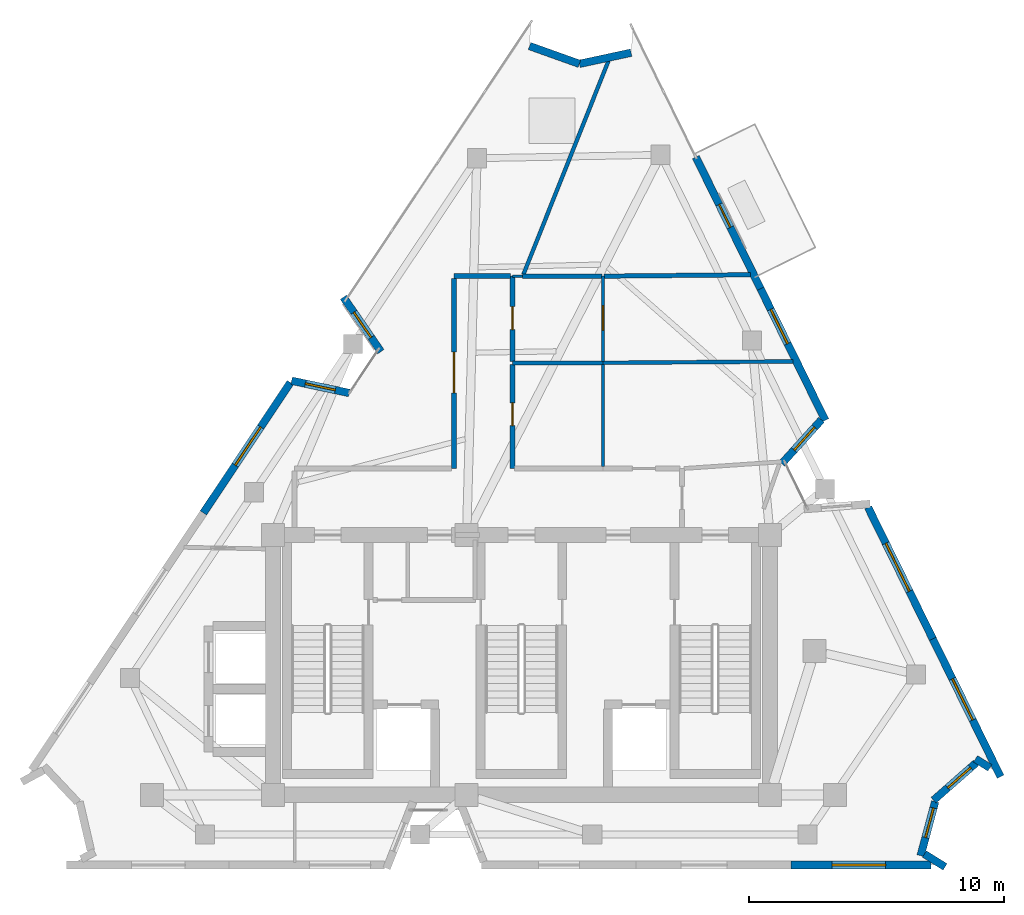
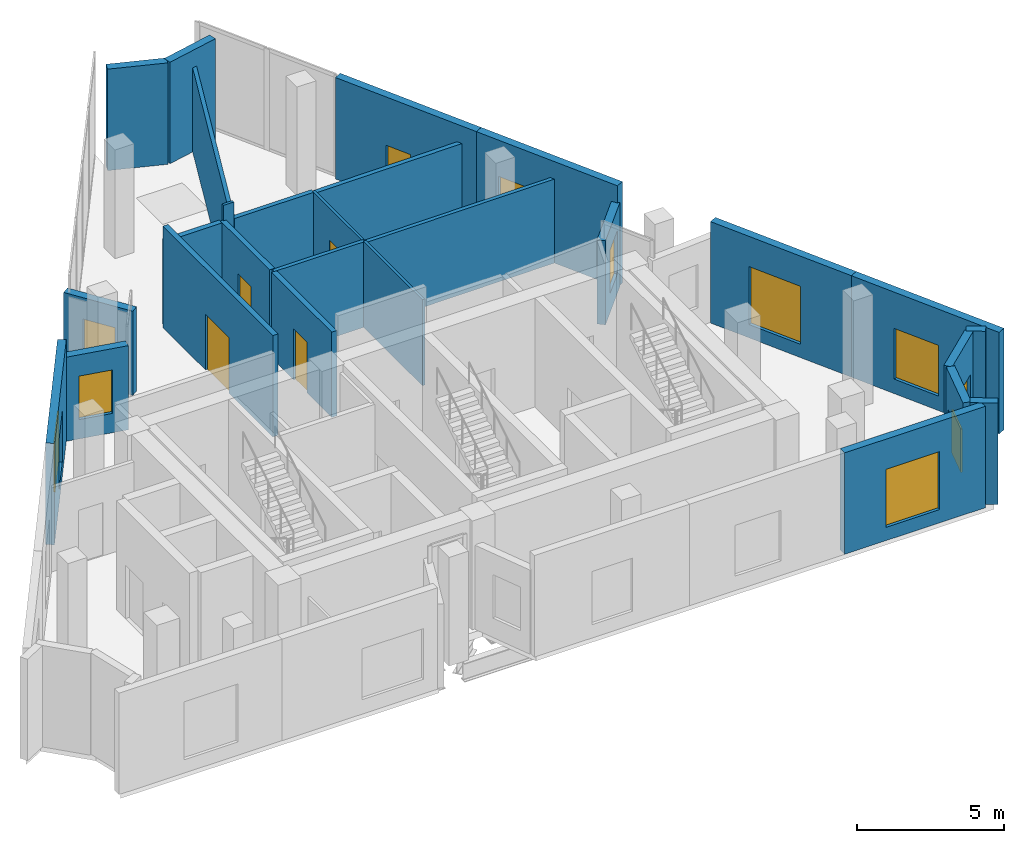
# One storey, part 6 of 8: 27 walls, 10 windows, 5 doors, 15 openings.
"""IFC4 building model written with IfcOpenShell, lengths in metres."""

from ifc_helpers import new_model, si_unit, direction, frame, frame_2d, origin, place, context, subcontext, project, spatial, rectangle, extrude, material, layer, layer_set, type_object, element, fill, save


model = new_model("IFC4")

# Units and contexts
model_context = context("Model", 3, precision=1e-05, world=origin(), true_north=direction((0.0, 1.0)))
body_context = subcontext(model_context, "Body", "Model", "MODEL_VIEW")
ifc_project = project(units=[si_unit("LENGTHUNIT", "METRE"), si_unit("AREAUNIT", "SQUARE_METRE"), si_unit("VOLUMEUNIT", "CUBIC_METRE"), si_unit("PLANEANGLEUNIT", "RADIAN"), si_unit("MASSUNIT", "GRAM", prefix="KILO")], contexts=[model_context])

# Site, building, storey
site_placement = place(None, origin())
site = spatial("IfcSite", under=ifc_project, at=site_placement, CompositionType="ELEMENT")
building_placement = place(site_placement, origin())
building = spatial("IfcBuilding", under=site, at=building_placement, Name="Almagre Mirador Tower", CompositionType="ELEMENT")
storey_placement = place(building_placement, frame((0.0, 0.0, 294.0)))
storey = spatial("IfcBuildingStorey", under=building, at=storey_placement, Name="L76", CompositionType="ELEMENT", Elevation=294.0)

# Wall, opening, window
ifc_material_1 = material(Name="Precast concrete C50/60", Category="concrete")
ifc_layer_1 = layer(ifc_material_1, 0.300048828125)
ifc_layer_set_1 = layer_set([ifc_layer_1], Name="Precast concrete C50/60")
wall_type_1 = type_object("IfcWallType", Name="WAL-EXT-300", PredefinedType="SOLIDWALL", material=ifc_layer_set_1)
wall_1_placement = place(storey_placement, frame((28.283935546875, 20.799072265625, 0.0), z_axis=(0.0, 0.0, 1.0), x_axis=(0.978048774952, -0.208376087436, 0.0)))
wall_1 = element("IfcWall", 1, at=wall_1_placement, inside=storey, type_object=wall_type_1, Name="L76 expressed almagre precast frame wall 01", PredefinedType="SOLIDWALL", context=body_context, shape_type="SweptSolid", body=[
    extrude(rectangle(XDim=2.31396484375, YDim=0.300048828125, at=frame_2d((1.156982421875, 0.0))), origin(), (0.0, 0.0, 1.0), 3.48193359375),
])
opening_1_placement = place(wall_1_placement, frame((0.550048828125, 0.0, 0.800048828125)))
opening_1 = element("IfcOpeningElement", 2, at=opening_1_placement, cuts=wall_1, Name="Opening WN-04", PredefinedType="OPENING", context=body_context, shape_type="SweptSolid", body=[
    extrude(rectangle(XDim=1.199951171875, YDim=1.800048828125, at=frame_2d((0.60009765625, 0.89990234375))), frame((0.0, 0.159902, 0.0), z_axis=(0.0, -1.0, 0.0), x_axis=(1.0, 0.0, 0.0)), (0.0, 0.0, 1.0), 0.320049),
])
ifc_material_2 = material(Name="Dark solar-control laminated hurricane glass", Category="glass")
window_type_1 = type_object("IfcWindowType", Name="WIN-1200X1800", PartitioningType="SINGLE_PANEL", PredefinedType="WINDOW", material=ifc_material_2)
window_1_placement = place(opening_1_placement, origin())
window_1 = element("IfcWindow", 3, at=window_1_placement, inside=storey, type_object=window_type_1, Name="L76 recessed hurricane window L76-MGAL", OverallHeight=1.800048828125, OverallWidth=1.199951171875, PartitioningType="SINGLE_PANEL", PredefinedType="WINDOW", context=body_context, shape_type="SweptSolid", body=[
    extrude(rectangle(XDim=1.199951171875, YDim=1.800048828125, at=frame_2d((0.60009765625, 0.89990234375))), frame((0.0, 0.030029296875, 0.0), z_axis=(0.0, -1.0, 0.0), x_axis=(1.0, 0.0, 0.0)), (0.0, 0.0, 1.0), 0.06005859375),
])
fill(opening_1, window_1)

wall_2_placement = place(storey_placement, frame((31.78662109375, 21.939697265625, 0.0), z_axis=(0.0, 0.0, 1.0), x_axis=(-0.567578976889, 0.823318957023, 0.0)))
wall_2 = element("IfcWall", 4, at=wall_2_placement, inside=storey, type_object=wall_type_1, Name="L76 expressed almagre precast frame wall 02", PredefinedType="SOLIDWALL", context=body_context, shape_type="SweptSolid", body=[
    extrude(rectangle(XDim=2.59375, YDim=0.300048828125, at=frame_2d((1.296875, 0.0))), origin(), (0.0, 0.0, 1.0), 3.48193359375),
])
opening_2_placement = place(wall_2_placement, frame((0.675048828125, 0.0, 0.800048828125)))
opening_2 = element("IfcOpeningElement", 5, at=opening_2_placement, cuts=wall_2, Name="Opening WN-04", PredefinedType="OPENING", context=body_context, shape_type="SweptSolid", body=[
    extrude(rectangle(XDim=1.199951171875, YDim=1.800048828125, at=frame_2d((0.60009765625, 0.89990234375))), frame((0.0, 0.159902, 0.0), z_axis=(0.0, -1.0, 0.0), x_axis=(1.0, 0.0, 0.0)), (0.0, 0.0, 1.0), 0.320049),
])
window_2_placement = place(opening_2_placement, origin())
window_2 = element("IfcWindow", 6, at=window_2_placement, inside=storey, type_object=window_type_1, Name="L76 recessed hurricane window L76-MGAL", OverallHeight=1.800048828125, OverallWidth=1.199951171875, PartitioningType="SINGLE_PANEL", PredefinedType="WINDOW", context=body_context, shape_type="SweptSolid", body=[
    extrude(rectangle(XDim=1.199951171875, YDim=1.800048828125, at=frame_2d((0.60009765625, 0.89990234375))), frame((0.0, 0.030029296875, 0.0), z_axis=(0.0, -1.0, 0.0), x_axis=(1.0, 0.0, 0.0)), (0.0, 0.0, 1.0), 0.06005859375),
])
fill(opening_2, window_2)

# Walls
wall_3_placement = place(storey_placement, frame((37.616943359375, 33.929931640625, 0.0), z_axis=(0.0, 0.0, 1.0), x_axis=(0.941683396202, -0.336500195123, 0.0)))
element("IfcWall", 7, at=wall_3_placement, inside=storey, type_object=wall_type_1, Name="L76 expressed almagre precast frame wall 03", PredefinedType="SOLIDWALL", context=body_context, shape_type="SweptSolid", body=[
    extrude(rectangle(XDim=2.0771484375, YDim=0.300048828125, at=frame_2d((1.03857421875, 0.0))), origin(), (0.0, 0.0, 1.0), 4.199951171875),
])
wall_4_placement = place(storey_placement, frame((39.572998046875, 33.23095703125, 0.0), z_axis=(0.0, 0.0, 1.0), x_axis=(0.977604114456, 0.210452358975, 0.0)))
element("IfcWall", 8, at=wall_4_placement, inside=storey, type_object=wall_type_1, Name="L76 expressed almagre precast frame wall 04", PredefinedType="SOLIDWALL", context=body_context, shape_type="SweptSolid", body=[
    extrude(rectangle(XDim=2.076416015625, YDim=0.300048828125, at=frame_2d((1.0380859375, 0.0))), origin(), (0.0, 0.0, 1.0), 4.199951171875),
])

# Wall, opening, door
wall_5_placement = place(storey_placement, frame((44.14306640625, 29.571533203125, 0.0), z_axis=(0.0, 0.0, 1.0), x_axis=(0.441265341282, -0.897376675975, 0.0)))
wall_5 = element("IfcWall", 9, at=wall_5_placement, inside=storey, type_object=wall_type_1, Name="L76 expressed almagre precast frame wall 05", PredefinedType="SOLIDWALL", context=body_context, shape_type="SweptSolid", body=[
    extrude(rectangle(XDim=5.755615234375, YDim=0.300048828125, at=frame_2d((2.8779296875, 0.0))), origin(), (0.0, 0.0, 1.0), 4.199951171875),
])
opening_3_placement = place(wall_5_placement, frame((2.069580078125, 0.0, 0.0)))
opening_3 = element("IfcOpeningElement", 10, at=opening_3_placement, cuts=wall_5, Name="Opening BD-01", PredefinedType="OPENING", context=body_context, shape_type="SweptSolid", body=[
    extrude(rectangle(XDim=1.0, YDim=2.199951171875, at=frame_2d((0.5, 1.10009765625))), frame((0.0, 0.159902, 0.0), z_axis=(0.0, -1.0, 0.0), x_axis=(1.0, 0.0, 0.0)), (0.0, 0.0, 1.0), 0.320049),
])
ifc_material_3 = material(Name="Black anodized aluminium and laminated glass", Category="aluminium")
door_type_1 = type_object("IfcDoorType", Name="DOR-BAL-1000X2200", OperationType="NOTDEFINED", PredefinedType="DOOR", material=ifc_material_3)
door_1_placement = place(opening_3_placement, origin())
door_1 = element("IfcDoor", 11, at=door_1_placement, inside=storey, type_object=door_type_1, Name="DR-2258 L76 east balcony glazed door 1", OperationType="SINGLE_SWING_LEFT", OverallHeight=2.199951171875, OverallWidth=1.0, PredefinedType="DOOR", context=body_context, shape_type="SweptSolid", body=[
    extrude(rectangle(XDim=1.0, YDim=2.199951171875, at=frame_2d((0.5, 1.10009765625))), frame((0.0, 0.02490234375, 0.0), z_axis=(0.0, -1.0, 0.0), x_axis=(1.0, 0.0, 0.0)), (0.0, 0.0, 1.0), 0.050048828125),
])
fill(opening_3, door_1)

# Wall, opening, window
wall_6_placement = place(storey_placement, frame((46.682861328125, 24.406494140625, 0.0), z_axis=(0.0, 0.0, 1.0), x_axis=(0.441299498192, -0.897359879254, 0.0)))
wall_6 = element("IfcWall", 12, at=wall_6_placement, inside=storey, type_object=wall_type_1, Name="L76 expressed almagre precast frame wall 06", PredefinedType="SOLIDWALL", context=body_context, shape_type="SweptSolid", body=[
    extrude(rectangle(XDim=5.755859375, YDim=0.300048828125, at=frame_2d((2.8779296875, 0.0))), origin(), (0.0, 0.0, 1.0), 4.199951171875),
])
opening_4_placement = place(wall_6_placement, frame((0.89990234375, 0.0, 0.60009765625)))
opening_4 = element("IfcOpeningElement", 13, at=opening_4_placement, cuts=wall_6, Name="Opening WN-03", PredefinedType="OPENING", context=body_context, shape_type="SweptSolid", body=[
    extrude(rectangle(XDim=1.5, YDim=2.10009765625, at=frame_2d((0.75, 1.050048828125))), frame((0.0, 0.159902, 0.0), z_axis=(0.0, -1.0, 0.0), x_axis=(1.0, 0.0, 0.0)), (0.0, 0.0, 1.0), 0.320049),
])
ifc_material_4 = material(Name="Dark solar-control laminated hurricane glass", Category="glass")
window_type_2 = type_object("IfcWindowType", Name="WIN-1500X2100", PartitioningType="DOUBLE_PANEL_VERTICAL", PredefinedType="WINDOW", material=ifc_material_4)
window_3_placement = place(opening_4_placement, origin())
window_3 = element("IfcWindow", 14, at=window_3_placement, inside=storey, type_object=window_type_2, Name="L76 recessed hurricane window L76-MSOM", OverallHeight=2.10009765625, OverallWidth=1.5, PartitioningType="SINGLE_PANEL", PredefinedType="WINDOW", context=body_context, shape_type="SweptSolid", body=[
    extrude(rectangle(XDim=1.5, YDim=2.10009765625, at=frame_2d((0.75, 1.050048828125))), frame((0.0, 0.030029296875, 0.0), z_axis=(0.0, -1.0, 0.0), x_axis=(1.0, 0.0, 0.0)), (0.0, 0.0, 1.0), 0.06005859375),
])
fill(opening_4, window_3)

wall_7_placement = place(storey_placement, frame((49.067138671875, 19.26318359375, 0.0), z_axis=(0.0, 0.0, 1.0), x_axis=(-0.670764114694, -0.741670750697, 0.0)))
wall_7 = element("IfcWall", 15, at=wall_7_placement, inside=storey, type_object=wall_type_1, Name="L76 expressed almagre precast frame wall 07", PredefinedType="SOLIDWALL", context=body_context, shape_type="SweptSolid", body=[
    extrude(rectangle(XDim=2.313720703125, YDim=0.300048828125, at=frame_2d((1.15673828125, 0.0))), origin(), (0.0, 0.0, 1.0), 3.48193359375),
])
opening_5_placement = place(wall_7_placement, frame((0.39501953125, 0.0, 0.800048828125)))
opening_5 = element("IfcOpeningElement", 16, at=opening_5_placement, cuts=wall_7, Name="Opening WN-04", PredefinedType="OPENING", context=body_context, shape_type="SweptSolid", body=[
    extrude(rectangle(XDim=1.199951171875, YDim=1.800048828125, at=frame_2d((0.60009765625, 0.89990234375))), frame((0.0, 0.159902, 0.0), z_axis=(0.0, -1.0, 0.0), x_axis=(1.0, 0.0, 0.0)), (0.0, 0.0, 1.0), 0.320049),
])
window_4_placement = place(opening_5_placement, origin())
window_4 = element("IfcWindow", 17, at=window_4_placement, inside=storey, type_object=window_type_1, Name="L76 recessed hurricane window L76-MOFF-2", OverallHeight=1.800048828125, OverallWidth=1.199951171875, PartitioningType="SINGLE_PANEL", PredefinedType="WINDOW", context=body_context, shape_type="SweptSolid", body=[
    extrude(rectangle(XDim=1.199951171875, YDim=1.800048828125, at=frame_2d((0.60009765625, 0.89990234375))), frame((0.0, 0.030029296875, 0.0), z_axis=(0.0, -1.0, 0.0), x_axis=(1.0, 0.0, 0.0)), (0.0, 0.0, 1.0), 0.06005859375),
])
fill(opening_5, window_4)

wall_8_placement = place(storey_placement, frame((50.89990234375, 15.831298828125, 0.0), z_axis=(0.0, 0.0, 1.0), x_axis=(0.441291621968, -0.897363752545, 0.0)))
wall_8 = element("IfcWall", 18, at=wall_8_placement, inside=storey, type_object=wall_type_1, Name="L76 expressed almagre precast frame wall 09", PredefinedType="SOLIDWALL", context=body_context, shape_type="SweptSolid", body=[
    extrude(rectangle(XDim=5.748291015625, YDim=0.300048828125, at=frame_2d((2.8740234375, 0.0))), origin(), (0.0, 0.0, 1.0), 4.199951171875),
])
opening_6_placement = place(wall_8_placement, frame((1.570068359375, 0.0, 0.550048828125)))
opening_6 = element("IfcOpeningElement", 19, at=opening_6_placement, cuts=wall_8, Name="Opening WN-05", PredefinedType="OPENING", context=body_context, shape_type="SweptSolid", body=[
    extrude(rectangle(XDim=2.10009765625, YDim=2.39990234375, at=frame_2d((1.050048828125, 1.199951171875))), frame((0.0, 0.159902, 0.0), z_axis=(0.0, -1.0, 0.0), x_axis=(1.0, 0.0, 0.0)), (0.0, 0.0, 1.0), 0.320049),
])
ifc_material_5 = material(Name="Dark solar-control laminated hurricane glass", Category="glass")
window_type_3 = type_object("IfcWindowType", Name="WIN-2100X2400", PartitioningType="DOUBLE_PANEL_VERTICAL", PredefinedType="WINDOW", material=ifc_material_5)
window_5_placement = place(opening_6_placement, origin())
window_5 = element("IfcWindow", 20, at=window_5_placement, inside=storey, type_object=window_type_3, Name="L76 recessed hurricane window L76-MOFF-2", OverallHeight=2.39990234375, OverallWidth=2.10009765625, PartitioningType="SINGLE_PANEL", PredefinedType="WINDOW", context=body_context, shape_type="SweptSolid", body=[
    extrude(rectangle(XDim=2.10009765625, YDim=2.39990234375, at=frame_2d((1.050048828125, 1.199951171875))), frame((0.0, 0.030029296875, 0.0), z_axis=(0.0, -1.0, 0.0), x_axis=(1.0, 0.0, 0.0)), (0.0, 0.0, 1.0), 0.06005859375),
])
fill(opening_6, window_5)

wall_9_placement = place(storey_placement, frame((53.4365234375, 10.673095703125, 0.0), z_axis=(0.0, 0.0, 1.0), x_axis=(0.441274747804, -0.897372050462, 0.0)))
wall_9 = element("IfcWall", 21, at=wall_9_placement, inside=storey, type_object=wall_type_1, Name="L76 expressed almagre precast frame wall 10", PredefinedType="SOLIDWALL", context=body_context, shape_type="SweptSolid", body=[
    extrude(rectangle(XDim=6.0283203125, YDim=0.300048828125, at=frame_2d((3.01416015625, 0.0))), origin(), (0.0, 0.0, 1.0), 4.199951171875),
])
opening_7_placement = place(wall_9_placement, frame((1.75, 0.0, 0.60009765625)))
opening_7 = element("IfcOpeningElement", 22, at=opening_7_placement, cuts=wall_9, Name="Opening WN-01", PredefinedType="OPENING", context=body_context, shape_type="SweptSolid", body=[
    extrude(rectangle(XDim=1.800048828125, YDim=2.10009765625, at=frame_2d((0.89990234375, 1.050048828125))), frame((0.0, 0.159902, 0.0), z_axis=(0.0, -1.0, 0.0), x_axis=(1.0, 0.0, 0.0)), (0.0, 0.0, 1.0), 0.320049),
])
ifc_material_6 = material(Name="Dark solar-control laminated hurricane glass", Category="glass")
window_type_4 = type_object("IfcWindowType", Name="WIN-1800X2100", PartitioningType="DOUBLE_PANEL_VERTICAL", PredefinedType="WINDOW", material=ifc_material_6)
window_6_placement = place(opening_7_placement, origin())
window_6 = element("IfcWindow", 23, at=window_6_placement, inside=storey, type_object=window_type_4, Name="L76 recessed hurricane window L76-MOFF-2", OverallHeight=2.10009765625, OverallWidth=1.800048828125, PartitioningType="SINGLE_PANEL", PredefinedType="WINDOW", context=body_context, shape_type="SweptSolid", body=[
    extrude(rectangle(XDim=1.800048828125, YDim=2.10009765625, at=frame_2d((0.89990234375, 1.050048828125))), frame((0.0, 0.030029296875, 0.0), z_axis=(0.0, -1.0, 0.0), x_axis=(1.0, 0.0, 0.0)), (0.0, 0.0, 1.0), 0.06005859375),
])
fill(opening_7, window_6)

# Wall
wall_10_placement = place(storey_placement, frame((55.6787109375, 5.611083984375, 0.0), z_axis=(0.0, 0.0, 1.0), x_axis=(-0.848492759322, 0.529206989162, 0.0)))
element("IfcWall", 24, at=wall_10_placement, inside=storey, type_object=wall_type_1, Name="L76 expressed almagre precast frame wall 11", PredefinedType="SOLIDWALL", context=body_context, shape_type="SweptSolid", body=[
    extrude(rectangle(XDim=0.665283203125, YDim=0.300048828125, at=frame_2d((0.33251953125, 0.0))), origin(), (0.0, 0.0, 1.0), 4.199951171875),
])

# Wall, opening, window
wall_11_placement = place(storey_placement, frame((55.13525390625, 5.80322265625, 0.0), z_axis=(0.0, 0.0, 1.0), x_axis=(-0.751744762281, -0.659454177622, 0.0)))
wall_11 = element("IfcWall", 25, at=wall_11_placement, inside=storey, type_object=wall_type_1, Name="L76 expressed almagre precast frame wall 12", PredefinedType="SOLIDWALL", context=body_context, shape_type="SweptSolid", body=[
    extrude(rectangle(XDim=2.219482421875, YDim=0.300048828125, at=frame_2d((1.10986328125, 0.0))), origin(), (0.0, 0.0, 1.0), 4.199951171875),
])
opening_8_placement = place(wall_11_placement, frame((0.280029296875, 0.0, 0.800048828125)))
opening_8 = element("IfcOpeningElement", 26, at=opening_8_placement, cuts=wall_11, Name="Opening WN-04", PredefinedType="OPENING", context=body_context, shape_type="SweptSolid", body=[
    extrude(rectangle(XDim=1.199951171875, YDim=1.800048828125, at=frame_2d((0.60009765625, 0.89990234375))), frame((0.0, 0.159902, 0.0), z_axis=(0.0, -1.0, 0.0), x_axis=(1.0, 0.0, 0.0)), (0.0, 0.0, 1.0), 0.320049),
])
window_7_placement = place(opening_8_placement, origin())
window_7 = element("IfcWindow", 27, at=window_7_placement, inside=storey, type_object=window_type_1, Name="L76 recessed hurricane window L76-MOFF-2", OverallHeight=1.800048828125, OverallWidth=1.199951171875, PartitioningType="SINGLE_PANEL", PredefinedType="WINDOW", context=body_context, shape_type="SweptSolid", body=[
    extrude(rectangle(XDim=1.199951171875, YDim=1.800048828125, at=frame_2d((0.60009765625, 0.89990234375))), frame((0.0, 0.030029296875, 0.0), z_axis=(0.0, -1.0, 0.0), x_axis=(1.0, 0.0, 0.0)), (0.0, 0.0, 1.0), 0.06005859375),
])
fill(opening_8, window_7)

wall_12_placement = place(storey_placement, frame((53.532958984375, 4.287109375, 0.0), z_axis=(0.0, 0.0, 1.0), x_axis=(-0.259818176463, -0.965657555855, 0.0)))
wall_12 = element("IfcWall", 28, at=wall_12_placement, inside=storey, type_object=wall_type_1, Name="L76 expressed almagre precast frame wall 13", PredefinedType="SOLIDWALL", context=body_context, shape_type="SweptSolid", body=[
    extrude(rectangle(XDim=2.19873046875, YDim=0.300048828125, at=frame_2d((1.099365234375, 0.0))), origin(), (0.0, 0.0, 1.0), 4.199951171875),
])
opening_9_placement = place(wall_12_placement, frame((0.260009765625, 0.0, 0.800048828125)))
opening_9 = element("IfcOpeningElement", 29, at=opening_9_placement, cuts=wall_12, Name="Opening WN-04", PredefinedType="OPENING", context=body_context, shape_type="SweptSolid", body=[
    extrude(rectangle(XDim=1.199951171875, YDim=1.800048828125, at=frame_2d((0.60009765625, 0.89990234375))), frame((0.0, 0.159902, 0.0), z_axis=(0.0, -1.0, 0.0), x_axis=(1.0, 0.0, 0.0)), (0.0, 0.0, 1.0), 0.320049),
])
window_8_placement = place(opening_9_placement, origin())
window_8 = element("IfcWindow", 30, at=window_8_placement, inside=storey, type_object=window_type_1, Name="L76 recessed hurricane window L76-MOFF-2", OverallHeight=1.800048828125, OverallWidth=1.199951171875, PartitioningType="SINGLE_PANEL", PredefinedType="WINDOW", context=body_context, shape_type="SweptSolid", body=[
    extrude(rectangle(XDim=1.199951171875, YDim=1.800048828125, at=frame_2d((0.60009765625, 0.89990234375))), frame((0.0, 0.030029296875, 0.0), z_axis=(0.0, -1.0, 0.0), x_axis=(1.0, 0.0, 0.0)), (0.0, 0.0, 1.0), 0.06005859375),
])
fill(opening_9, window_8)

# Wall
wall_13_placement = place(storey_placement, frame((53.1083984375, 2.23046875, 0.0), z_axis=(0.0, 0.0, 1.0), x_axis=(0.849031111495, -0.528342854322, 0.0)))
element("IfcWall", 31, at=wall_13_placement, inside=storey, type_object=wall_type_1, Name="L76 expressed almagre precast frame wall 14", PredefinedType="SOLIDWALL", context=body_context, shape_type="SweptSolid", body=[
    extrude(rectangle(XDim=0.95458984375, YDim=0.300048828125, at=frame_2d((0.477294921875, 0.0))), origin(), (0.0, 0.0, 1.0), 4.199951171875),
])

# Wall, opening, window
wall_14_placement = place(storey_placement, frame((53.375, 1.800048828125, 0.0), z_axis=(0.0, 0.0, 1.0), x_axis=(-1.0, 0.0, 0.0)))
wall_14 = element("IfcWall", 32, at=wall_14_placement, inside=storey, type_object=wall_type_1, Name="L76 expressed almagre precast frame wall 15", PredefinedType="SOLIDWALL", context=body_context, shape_type="SweptSolid", body=[
    extrude(rectangle(XDim=5.507080078125, YDim=0.300048828125, at=frame_2d((2.75341796875, 0.0))), origin(), (0.0, 0.0, 1.0), 4.199951171875),
])
opening_10_placement = place(wall_14_placement, frame((1.784912109375, 0.0, 0.550048828125)))
opening_10 = element("IfcOpeningElement", 33, at=opening_10_placement, cuts=wall_14, Name="Opening WN-05", PredefinedType="OPENING", context=body_context, shape_type="SweptSolid", body=[
    extrude(rectangle(XDim=2.10009765625, YDim=2.39990234375, at=frame_2d((1.050048828125, 1.199951171875))), frame((0.0, 0.159902, 0.0), z_axis=(0.0, -1.0, 0.0), x_axis=(1.0, 0.0, 0.0)), (0.0, 0.0, 1.0), 0.320049),
])
window_9_placement = place(opening_10_placement, origin())
window_9 = element("IfcWindow", 34, at=window_9_placement, inside=storey, type_object=window_type_3, Name="L76 recessed hurricane window L76-MOFF-2", OverallHeight=2.39990234375, OverallWidth=2.10009765625, PartitioningType="SINGLE_PANEL", PredefinedType="WINDOW", context=body_context, shape_type="SweptSolid", body=[
    extrude(rectangle(XDim=2.10009765625, YDim=2.39990234375, at=frame_2d((1.050048828125, 1.199951171875))), frame((0.0, 0.030029296875, 0.0), z_axis=(0.0, -1.0, 0.0), x_axis=(1.0, 0.0, 0.0)), (0.0, 0.0, 1.0), 0.06005859375),
])
fill(opening_10, window_9)

wall_15_placement = place(storey_placement, frame((24.822265625, 15.61376953125, 0.0), z_axis=(0.0, 0.0, 1.0), x_axis=(0.555231896674, 0.831695581879, 0.0)))
wall_15 = element("IfcWall", 35, at=wall_15_placement, inside=storey, type_object=wall_type_1, Name="L76 expressed almagre precast frame wall 28", PredefinedType="SOLIDWALL", context=body_context, shape_type="SweptSolid", body=[
    extrude(rectangle(XDim=6.14453125, YDim=0.300048828125, at=frame_2d((3.072265625, 0.0))), origin(), (0.0, 0.0, 1.0), 4.199951171875),
])
opening_11_placement = place(wall_15_placement, frame((2.25, 0.0, 0.60009765625)))
opening_11 = element("IfcOpeningElement", 36, at=opening_11_placement, cuts=wall_15, Name="Opening WN-01", PredefinedType="OPENING", context=body_context, shape_type="SweptSolid", body=[
    extrude(rectangle(XDim=1.800048828125, YDim=2.10009765625, at=frame_2d((0.89990234375, 1.050048828125))), frame((0.0, 0.159902, 0.0), z_axis=(0.0, -1.0, 0.0), x_axis=(1.0, 0.0, 0.0)), (0.0, 0.0, 1.0), 0.320049),
])
window_10_placement = place(opening_11_placement, origin())
window_10 = element("IfcWindow", 37, at=window_10_placement, inside=storey, type_object=window_type_4, Name="L76 recessed hurricane window L76-MGAL", OverallHeight=2.10009765625, OverallWidth=1.800048828125, PartitioningType="SINGLE_PANEL", PredefinedType="WINDOW", context=body_context, shape_type="SweptSolid", body=[
    extrude(rectangle(XDim=1.800048828125, YDim=2.10009765625, at=frame_2d((0.89990234375, 1.050048828125))), frame((0.0, 0.030029296875, 0.0), z_axis=(0.0, -1.0, 0.0), x_axis=(1.0, 0.0, 0.0)), (0.0, 0.0, 1.0), 0.06005859375),
])
fill(opening_11, window_10)

# Wall, opening, door
ifc_material_7 = material(Name="Gypsum acoustic stud partition", Category="other")
ifc_layer_2 = layer(ifc_material_7, 0.10009765625)
ifc_layer_set_2 = layer_set([ifc_layer_2], Name="Gypsum acoustic stud partition")
wall_type_2 = type_object("IfcWallType", Name="WAL-PRT-100-CLS", PredefinedType="PARTITIONING", material=ifc_layer_set_2)
wall_16_placement = place(storey_placement, frame((40.5, 21.56005859375, 0.0), z_axis=(0.0, 0.0, 1.0), x_axis=(0.0, 1.0, 0.0)))
wall_16 = element("IfcWall", 38, at=wall_16_placement, inside=storey, type_object=wall_type_2, Name="L76 interior partition 005", PredefinedType="PARTITIONING", context=body_context, shape_type="SweptSolid", body=[
    extrude(rectangle(XDim=3.33984375, YDim=0.10009765625, at=frame_2d((1.669921875, 0.0))), origin(), (0.0, 0.0, 1.0), 3.534912109375),
])
opening_12_placement = place(wall_16_placement, frame((1.22216796875, 0.0, 0.0)))
opening_12 = element("IfcOpeningElement", 39, at=opening_12_placement, cuts=wall_16, Name="Opening UD-01", PredefinedType="OPENING", context=body_context, shape_type="SweptSolid", body=[
    extrude(rectangle(XDim=0.949951171875, YDim=2.199951171875, at=frame_2d((0.47509765625, 1.10009765625))), frame((0.0, 0.060049, 0.0), z_axis=(0.0, -1.0, 0.0), x_axis=(1.0, 0.0, 0.0)), (0.0, 0.0, 1.0), 0.120098),
])
ifc_material_8 = material(Name="Solid American walnut timber", Category="wood")
door_type_2 = type_object("IfcDoorType", Name="DOR-UNR-950X2200", OperationType="NOTDEFINED", PredefinedType="DOOR", material=ifc_material_8)
door_2_placement = place(opening_12_placement, origin())
door_2 = element("IfcDoor", 40, at=door_2_placement, inside=storey, type_object=door_type_2, Name="DR-2271 L76 interior door L76-MCAF to L76-MSOM", OperationType="SINGLE_SWING_RIGHT", OverallHeight=2.199951171875, OverallWidth=0.949951171875, PredefinedType="DOOR", context=body_context, shape_type="SweptSolid", body=[
    extrude(rectangle(XDim=0.949951171875, YDim=2.199951171875, at=frame_2d((0.47509765625, 1.10009765625))), frame((0.0, 0.02490234375, 0.0), z_axis=(0.0, -1.0, 0.0), x_axis=(1.0, 0.0, 0.0)), (0.0, 0.0, 1.0), 0.050048828125),
])
fill(opening_12, door_2)

# Walls
wall_17_placement = place(storey_placement, frame((37.35009765625, 24.89990234375, 0.0), z_axis=(0.0, 0.0, 1.0), x_axis=(-1.0, 0.0, 0.0)))
element("IfcWall", 41, at=wall_17_placement, inside=storey, type_object=wall_type_2, Name="L76 interior partition 008", PredefinedType="PARTITIONING", context=body_context, shape_type="SweptSolid", body=[
    extrude(rectangle(XDim=0.400146484375, YDim=0.10009765625, at=frame_2d((0.2001953125, 0.0))), origin(), (0.0, 0.0, 1.0), 4.199951171875),
])
wall_18_placement = place(storey_placement, frame((40.5, 17.43505859375, 0.0), z_axis=(0.0, 0.0, 1.0), x_axis=(0.0, 1.0, 0.0)))
element("IfcWall", 42, at=wall_18_placement, inside=storey, type_object=wall_type_2, Name="L76 interior partition 011", PredefinedType="PARTITIONING", context=body_context, shape_type="SweptSolid", body=[
    extrude(rectangle(XDim=4.0048828125, YDim=0.10009765625, at=frame_2d((2.00244140625, 0.0))), origin(), (0.0, 0.0, 1.0), 3.55908203125),
])
ifc_material_9 = material(Name="Gypsum acoustic stud partition", Category="other")
ifc_layer_3 = layer(ifc_material_9, 0.14990234375)
ifc_layer_set_3 = layer_set([ifc_layer_3], Name="Gypsum acoustic stud partition")
wall_type_3 = type_object("IfcWallType", Name="WAL-PRT-150-STD", PredefinedType="PARTITIONING", material=ifc_layer_set_3)
wall_19_placement = place(storey_placement, frame((36.949951171875, 21.5, 0.0), z_axis=(0.0, 0.0, 1.0), x_axis=(1.0, 0.0, 0.0)))
element("IfcWall", 43, at=wall_19_placement, inside=storey, type_object=wall_type_3, Name="L76 interior partition 004", PredefinedType="PARTITIONING", context=body_context, shape_type="SweptSolid", body=[
    extrude(rectangle(XDim=3.550048828125, YDim=0.14990234375, at=frame_2d((1.77490234375, 0.0))), origin(), (0.0, 0.0, 1.0), 3.534912109375),
])
wall_20_placement = place(storey_placement, frame((40.5, 21.5, 0.0), z_axis=(0.0, 0.0, 1.0), x_axis=(0.999972847686, 0.007369117343, 0.0)))
element("IfcWall", 44, at=wall_20_placement, inside=storey, type_object=wall_type_3, Name="L76 interior partition 013", PredefinedType="PARTITIONING", context=body_context, shape_type="SweptSolid", body=[
    extrude(rectangle(XDim=7.454345703125, YDim=0.14990234375, at=frame_2d((3.72705078125, 0.0))), origin(), (0.0, 0.0, 1.0), 3.47705078125),
])
wall_21_placement = place(storey_placement, frame((40.718017578125, 33.35693359375, 0.0), z_axis=(0.0, 0.0, 1.0), x_axis=(-0.369977886049, -0.92904056092, 0.0)))
element("IfcWall", 45, at=wall_21_placement, inside=storey, type_object=wall_type_3, Name="L76 interior partition 016", PredefinedType="PARTITIONING", context=body_context, shape_type="SweptSolid", body=[
    extrude(rectangle(XDim=9.030517578125, YDim=0.14990234375, at=frame_2d((4.51513671875, 0.0))), origin(), (0.0, 0.0, 1.0), 3.47705078125),
])
ifc_material_10 = material(Name="Gypsum acoustic stud partition", Category="other")
ifc_layer_4 = layer(ifc_material_10, 0.175048828125)
ifc_layer_set_4 = layer_set([ifc_layer_4], Name="Gypsum acoustic stud partition")
wall_type_4 = type_object("IfcWallType", Name="WAL-PRT-175-AC", PredefinedType="PARTITIONING", material=ifc_layer_set_4)
wall_22_placement = place(storey_placement, frame((40.465087890625, 24.89990234375, 0.0), z_axis=(0.0, 0.0, 1.0), x_axis=(-1.0, 0.0, 0.0)))
element("IfcWall", 46, at=wall_22_placement, inside=storey, type_object=wall_type_4, Name="L76 interior partition 006", PredefinedType="PARTITIONING", context=body_context, shape_type="SweptSolid", body=[
    extrude(rectangle(XDim=3.114990234375, YDim=0.175048828125, at=frame_2d((1.5576171875, 0.0))), origin(), (0.0, 0.0, 1.0), 3.534912109375),
])
wall_23_placement = place(storey_placement, frame((46.281005859375, 24.9560546875, 0.0), z_axis=(0.0, 0.0, 1.0), x_axis=(-0.999952669093, -0.009729315144, 0.0)))
element("IfcWall", 47, at=wall_23_placement, inside=storey, type_object=wall_type_4, Name="L76 interior partition 012", PredefinedType="PARTITIONING", context=body_context, shape_type="SweptSolid", body=[
    extrude(rectangle(XDim=5.746337890625, YDim=0.175048828125, at=frame_2d((2.873046875, 0.0))), origin(), (0.0, 0.0, 1.0), 3.47705078125),
])

# Wall, opening, door
ifc_material_11 = material(Name="Gypsum acoustic stud partition", Category="other")
ifc_layer_5 = layer(ifc_material_11, 0.199951171875)
ifc_layer_set_5 = layer_set([ifc_layer_5], Name="Gypsum acoustic stud partition")
wall_type_5 = type_object("IfcWallType", Name="WAL-PRT-200-EI60", PredefinedType="PARTITIONING", material=ifc_layer_set_5)
wall_24_placement = place(storey_placement, frame((36.949951171875, 24.89990234375, 0.0), z_axis=(0.0, 0.0, 1.0), x_axis=(0.0, -1.0, 0.0)))
wall_24 = element("IfcWall", 48, at=wall_24_placement, inside=storey, type_object=wall_type_5, Name="L76 interior partition 007", PredefinedType="PARTITIONING", context=body_context, shape_type="SweptSolid", body=[
    extrude(rectangle(XDim=3.33984375, YDim=0.199951171875, at=frame_2d((1.669921875, 0.0))), origin(), (0.0, 0.0, 1.0), 3.55908203125),
])
opening_13_placement = place(wall_24_placement, frame((1.191650390625, 0.0, 0.0)))
opening_13 = element("IfcOpeningElement", 49, at=opening_13_placement, cuts=wall_24, Name="Opening ID-03", PredefinedType="OPENING", context=body_context, shape_type="SweptSolid", body=[
    extrude(rectangle(XDim=0.89990234375, YDim=2.10009765625, at=frame_2d((0.449951171875, 1.050048828125))), frame((0.0, 0.110098, 0.0), z_axis=(0.0, -1.0, 0.0), x_axis=(1.0, 0.0, 0.0)), (0.0, 0.0, 1.0), 0.219951),
])
ifc_material_12 = material(Name="Fire-rated hollow steel", Category="steel")
door_type_3 = type_object("IfcDoorType", Name="DOR-FD60-900X2100", OperationType="NOTDEFINED", PredefinedType="DOOR", material=ifc_material_12)
door_3_placement = place(opening_13_placement, origin())
door_3 = element("IfcDoor", 50, at=door_3_placement, inside=storey, type_object=door_type_3, Name="DR-2266 L76 interior door L76-MCAF to L76-MCOR", OperationType="SINGLE_SWING_LEFT", OverallHeight=2.10009765625, OverallWidth=0.89990234375, PredefinedType="DOOR", context=body_context, shape_type="SweptSolid", body=[
    extrude(rectangle(XDim=0.89990234375, YDim=2.10009765625, at=frame_2d((0.449951171875, 1.050048828125))), frame((0.0, 0.02490234375, 0.0), z_axis=(0.0, -1.0, 0.0), x_axis=(1.0, 0.0, 0.0)), (0.0, 0.0, 1.0), 0.050048828125),
])
fill(opening_13, door_3)

wall_25_placement = place(storey_placement, frame((36.949951171875, 21.43994140625, 0.0), z_axis=(0.0, 0.0, 1.0), x_axis=(0.0, -1.0, 0.0)))
wall_25 = element("IfcWall", 51, at=wall_25_placement, inside=storey, type_object=wall_type_5, Name="L76 interior partition 009", PredefinedType="PARTITIONING", context=body_context, shape_type="SweptSolid", body=[
    extrude(rectangle(XDim=4.08984375, YDim=0.199951171875, at=frame_2d((2.044921875, 0.0))), origin(), (0.0, 0.0, 1.0), 3.534912109375),
])
opening_14_placement = place(wall_25_placement, frame((1.505615234375, 0.0, 0.0)))
opening_14 = element("IfcOpeningElement", 52, at=opening_14_placement, cuts=wall_25, Name="Opening ID-03", PredefinedType="OPENING", context=body_context, shape_type="SweptSolid", body=[
    extrude(rectangle(XDim=0.89990234375, YDim=2.10009765625, at=frame_2d((0.449951171875, 1.050048828125))), frame((0.0, 0.110098, 0.0), z_axis=(0.0, -1.0, 0.0), x_axis=(1.0, 0.0, 0.0)), (0.0, 0.0, 1.0), 0.219951),
])
door_4_placement = place(opening_14_placement, origin())
door_4 = element("IfcDoor", 53, at=door_4_placement, inside=storey, type_object=door_type_3, Name="DR-2268 L76 interior door L76-MLEC to L76-MCOR", OperationType="SINGLE_SWING_LEFT", OverallHeight=2.10009765625, OverallWidth=0.89990234375, PredefinedType="DOOR", context=body_context, shape_type="SweptSolid", body=[
    extrude(rectangle(XDim=0.89990234375, YDim=2.10009765625, at=frame_2d((0.449951171875, 1.050048828125))), frame((0.0, 0.02490234375, 0.0), z_axis=(0.0, -1.0, 0.0), x_axis=(1.0, 0.0, 0.0)), (0.0, 0.0, 1.0), 0.050048828125),
])
fill(opening_14, door_4)

# Wall
wall_26_placement = place(storey_placement, frame((36.864990234375, 24.89990234375, 0.0), z_axis=(0.0, 0.0, 1.0), x_axis=(-1.0, 0.0, 0.0)))
element("IfcWall", 54, at=wall_26_placement, inside=storey, type_object=wall_type_5, Name="L76 interior partition 017", PredefinedType="PARTITIONING", context=body_context, shape_type="SweptSolid", body=[
    extrude(rectangle(XDim=2.215087890625, YDim=0.199951171875, at=frame_2d((1.107421875, 0.0))), origin(), (0.0, 0.0, 1.0), 3.534912109375),
])

# Wall, opening, door
wall_27_placement = place(storey_placement, frame((34.64990234375, 24.81494140625, 0.0), z_axis=(0.0, 0.0, 1.0), x_axis=(0.0, -1.0, 0.0)))
wall_27 = element("IfcWall", 55, at=wall_27_placement, inside=storey, type_object=wall_type_5, Name="L76 interior partition 018", PredefinedType="PARTITIONING", context=body_context, shape_type="SweptSolid", body=[
    extrude(rectangle(XDim=7.46484375, YDim=0.199951171875, at=frame_2d((3.732421875, 0.0))), origin(), (0.0, 0.0, 1.0), 4.199951171875),
])
opening_15_placement = place(wall_27_placement, frame((2.889892578125, 0.0, 0.0)))
opening_15 = element("IfcOpeningElement", 56, at=opening_15_placement, cuts=wall_27, Name="Opening ID-05", PredefinedType="OPENING", context=body_context, shape_type="SweptSolid", body=[
    extrude(rectangle(XDim=1.60009765625, YDim=2.300048828125, at=frame_2d((0.800048828125, 1.14990234375))), frame((0.0, 0.110098, 0.0), z_axis=(0.0, -1.0, 0.0), x_axis=(1.0, 0.0, 0.0)), (0.0, 0.0, 1.0), 0.219951),
])
ifc_material_13 = material(Name="Fire-rated acoustic timber", Category="wood")
door_type_4 = type_object("IfcDoorType", Name="DOR-FD60-1600X2300", OperationType="DOUBLE_DOOR_SINGLE_SWING", PredefinedType="DOOR", material=ifc_material_13)
door_5_placement = place(opening_15_placement, origin())
door_5 = element("IfcDoor", 57, at=door_5_placement, inside=storey, type_object=door_type_4, Name="DR-2267 L76 interior door L76-MCOR to L76-MGAL", OperationType="DOUBLE_DOOR_SINGLE_SWING", OverallHeight=2.300048828125, OverallWidth=1.60009765625, PredefinedType="DOOR", context=body_context, shape_type="SweptSolid", body=[
    extrude(rectangle(XDim=1.60009765625, YDim=2.300048828125, at=frame_2d((0.800048828125, 1.14990234375))), frame((0.0, 0.02490234375, 0.0), z_axis=(0.0, -1.0, 0.0), x_axis=(1.0, 0.0, 0.0)), (0.0, 0.0, 1.0), 0.050048828125),
])
fill(opening_15, door_5)

save(model, "model.ifc")
